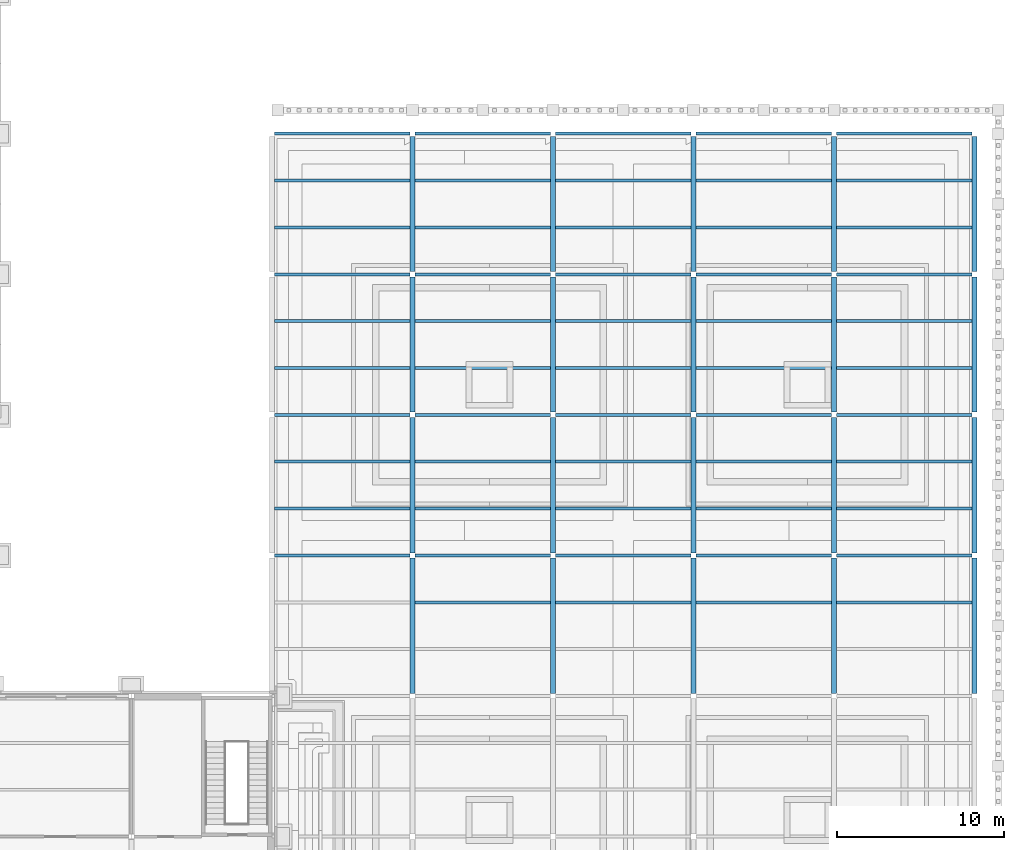
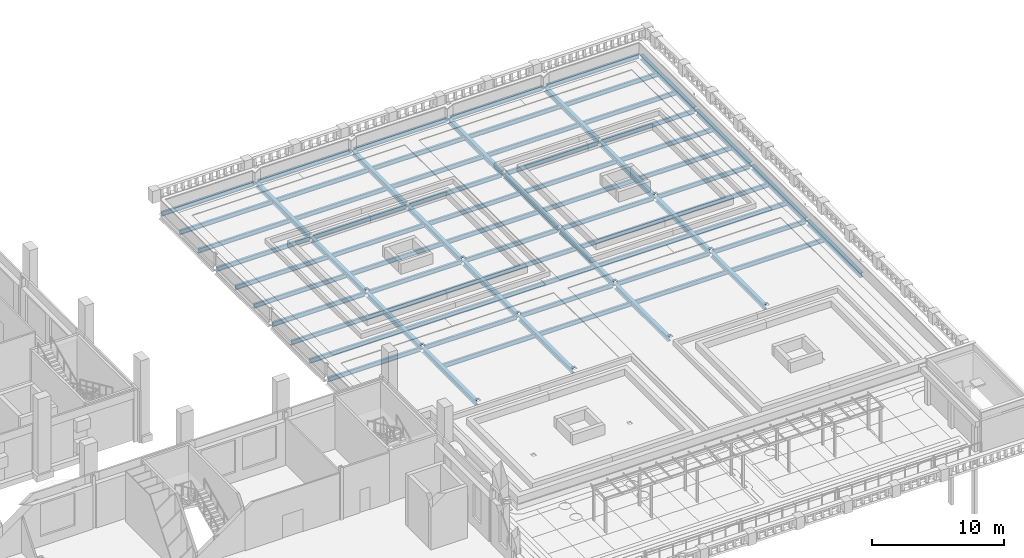
# One storey, part 40 of 76: 74 beams.
"""IFC4 building model written with IfcOpenShell, lengths in metres."""

from ifc_helpers import new_model, si_unit, direction, frame, origin, origin_2d, place, context, subcontext, project, spatial, i_section, extrude, material, material_profile, profile_set, type_object, element, save


model = new_model("IFC4")

# Units and contexts
model_context = context("Model", 3, precision=1e-05, world=origin(), true_north=direction((0.0, 1.0)))
body_context = subcontext(model_context, "Body", "Model", "MODEL_VIEW")
ifc_project = project(units=[si_unit("LENGTHUNIT", "METRE"), si_unit("AREAUNIT", "SQUARE_METRE"), si_unit("VOLUMEUNIT", "CUBIC_METRE"), si_unit("PLANEANGLEUNIT", "RADIAN"), si_unit("MASSUNIT", "GRAM", prefix="KILO")], contexts=[model_context])

# Site, building, storey
site_placement = place(None, origin())
site = spatial("IfcSite", under=ifc_project, at=site_placement, CompositionType="ELEMENT")
building_placement = place(site_placement, origin())
building = spatial("IfcBuilding", under=site, at=building_placement, Name="Sava Quay Ferry Terminal", CompositionType="ELEMENT")
storey_placement = place(building_placement, frame((0.0, 0.0, 6.0)))
storey = spatial("IfcBuildingStorey", under=building, at=storey_placement, Name="L01", CompositionType="ELEMENT", Elevation=6.0)

# Beams
ifc_material_1 = material(Name="Steel S355", Category="steel")
ifc_material_profile_1 = material_profile(ifc_material_1, i_section(OverallWidth=0.179931640625, OverallDepth=0.39990234375, WebThickness=0.008544921875, FlangeThickness=0.013427734375, at=origin_2d()), Name="IPE 400")
ifc_profile_set_1 = profile_set([ifc_material_profile_1], Name="Steel S355")
beam_type_1 = type_object("IfcBeamType", Name="Beam IPE 400", PredefinedType="BEAM", material=ifc_profile_set_1)
beam_1_placement = place(storey_placement, frame((126.14990234375, 58.800048828125, -0.35009765625), z_axis=(1.0, 0.0, 0.0), x_axis=(0.0, 1.0, 0.0)))
element("IfcBeam", 1, at=beam_1_placement, inside=storey, type_object=beam_type_1, Name="Beam L01", PredefinedType="BEAM", context=body_context, shape_type="SweptSolid", body=[
    extrude(i_section(OverallWidth=0.179931640625, OverallDepth=0.39990234375, WebThickness=0.008544921875, FlangeThickness=0.013427734375, at=origin_2d()), origin(), (0.0, 0.0, 1.0), 8.10009765625),
])
beam_2_placement = place(storey_placement, frame((134.550048828125, 58.800048828125, -0.35009765625), z_axis=(1.0, 0.0, 0.0), x_axis=(0.0, 1.0, 0.0)))
element("IfcBeam", 2, at=beam_2_placement, inside=storey, type_object=beam_type_1, Name="Beam L01", PredefinedType="BEAM", context=body_context, shape_type="SweptSolid", body=[
    extrude(i_section(OverallWidth=0.179931640625, OverallDepth=0.39990234375, WebThickness=0.008544921875, FlangeThickness=0.013427734375, at=origin_2d()), origin(), (0.0, 0.0, 1.0), 8.099853515625),
])
beam_3_placement = place(storey_placement, frame((142.949951171875, 58.800048828125, -0.35009765625), z_axis=(1.0, 0.0, 0.0), x_axis=(0.0, 1.0, 0.0)))
element("IfcBeam", 3, at=beam_3_placement, inside=storey, type_object=beam_type_1, Name="Beam L01", PredefinedType="BEAM", context=body_context, shape_type="SweptSolid", body=[
    extrude(i_section(OverallWidth=0.179931640625, OverallDepth=0.39990234375, WebThickness=0.008544921875, FlangeThickness=0.013427734375, at=origin_2d()), origin(), (0.0, 0.0, 1.0), 8.10009765625),
])
beam_4_placement = place(storey_placement, frame((151.35009765625, 58.800048828125, -0.35009765625), z_axis=(1.0, 0.0, 0.0), x_axis=(0.0, 1.0, 0.0)))
element("IfcBeam", 4, at=beam_4_placement, inside=storey, type_object=beam_type_1, Name="Beam L01", PredefinedType="BEAM", context=body_context, shape_type="SweptSolid", body=[
    extrude(i_section(OverallWidth=0.179931640625, OverallDepth=0.39990234375, WebThickness=0.008544921875, FlangeThickness=0.013427734375, at=origin_2d()), origin(), (0.0, 0.0, 1.0), 8.099853515625),
])
for number, where, z_axis, x_axis, name in (
    (5, (159.75, 58.800048828125, -0.35009765625), (1.0, 0.0, 0.0), (0.0, 1.0, 0.0), "Beam L01"),
    (6, (126.14990234375, 67.199951171875, -0.35009765625), (1.0, 0.0, 0.0), (0.0, 1.0, 0.0), "Beam L01"),
):
    element("IfcBeam", number, at=place(storey_placement, frame(where, z_axis=z_axis, x_axis=x_axis)), inside=storey, type_object=beam_type_1, Name=name, PredefinedType="BEAM", context=body_context, shape_type="SweptSolid", body=[
        extrude(i_section(OverallWidth=0.179931640625, OverallDepth=0.39990234375, WebThickness=0.008544921875, FlangeThickness=0.013427734375, at=origin_2d()), origin(), (0.0, 0.0, 1.0), 8.10009765625),
    ])
beam_5_placement = place(storey_placement, frame((134.550048828125, 67.199951171875, -0.35009765625), z_axis=(1.0, 0.0, 0.0), x_axis=(0.0, 1.0, 0.0)))
element("IfcBeam", 7, at=beam_5_placement, inside=storey, type_object=beam_type_1, Name="Beam L01", PredefinedType="BEAM", context=body_context, shape_type="SweptSolid", body=[
    extrude(i_section(OverallWidth=0.179931640625, OverallDepth=0.39990234375, WebThickness=0.008544921875, FlangeThickness=0.013427734375, at=origin_2d()), origin(), (0.0, 0.0, 1.0), 8.099853515625),
])
beam_6_placement = place(storey_placement, frame((142.949951171875, 67.199951171875, -0.35009765625), z_axis=(1.0, 0.0, 0.0), x_axis=(0.0, 1.0, 0.0)))
element("IfcBeam", 8, at=beam_6_placement, inside=storey, type_object=beam_type_1, Name="Beam L01", PredefinedType="BEAM", context=body_context, shape_type="SweptSolid", body=[
    extrude(i_section(OverallWidth=0.179931640625, OverallDepth=0.39990234375, WebThickness=0.008544921875, FlangeThickness=0.013427734375, at=origin_2d()), origin(), (0.0, 0.0, 1.0), 8.10009765625),
])
beam_7_placement = place(storey_placement, frame((151.35009765625, 67.199951171875, -0.35009765625), z_axis=(1.0, 0.0, 0.0), x_axis=(0.0, 1.0, 0.0)))
element("IfcBeam", 9, at=beam_7_placement, inside=storey, type_object=beam_type_1, Name="Beam L01", PredefinedType="BEAM", context=body_context, shape_type="SweptSolid", body=[
    extrude(i_section(OverallWidth=0.179931640625, OverallDepth=0.39990234375, WebThickness=0.008544921875, FlangeThickness=0.013427734375, at=origin_2d()), origin(), (0.0, 0.0, 1.0), 8.099853515625),
])
for number, where, z_axis, x_axis, name in (
    (10, (159.75, 67.199951171875, -0.35009765625), (1.0, 0.0, 0.0), (0.0, 1.0, 0.0), "Beam L01"),
    (11, (126.14990234375, 75.60009765625, -0.35009765625), (1.0, 0.0, 0.0), (0.0, 1.0, 0.0), "Beam L01"),
):
    element("IfcBeam", number, at=place(storey_placement, frame(where, z_axis=z_axis, x_axis=x_axis)), inside=storey, type_object=beam_type_1, Name=name, PredefinedType="BEAM", context=body_context, shape_type="SweptSolid", body=[
        extrude(i_section(OverallWidth=0.179931640625, OverallDepth=0.39990234375, WebThickness=0.008544921875, FlangeThickness=0.013427734375, at=origin_2d()), origin(), (0.0, 0.0, 1.0), 8.10009765625),
    ])
beam_8_placement = place(storey_placement, frame((134.550048828125, 75.60009765625, -0.35009765625), z_axis=(1.0, 0.0, 0.0), x_axis=(0.0, 1.0, 0.0)))
element("IfcBeam", 12, at=beam_8_placement, inside=storey, type_object=beam_type_1, Name="Beam L01", PredefinedType="BEAM", context=body_context, shape_type="SweptSolid", body=[
    extrude(i_section(OverallWidth=0.179931640625, OverallDepth=0.39990234375, WebThickness=0.008544921875, FlangeThickness=0.013427734375, at=origin_2d()), origin(), (0.0, 0.0, 1.0), 8.099853515625),
])
beam_9_placement = place(storey_placement, frame((142.949951171875, 75.60009765625, -0.35009765625), z_axis=(1.0, 0.0, 0.0), x_axis=(0.0, 1.0, 0.0)))
element("IfcBeam", 13, at=beam_9_placement, inside=storey, type_object=beam_type_1, Name="Beam L01", PredefinedType="BEAM", context=body_context, shape_type="SweptSolid", body=[
    extrude(i_section(OverallWidth=0.179931640625, OverallDepth=0.39990234375, WebThickness=0.008544921875, FlangeThickness=0.013427734375, at=origin_2d()), origin(), (0.0, 0.0, 1.0), 8.10009765625),
])
beam_10_placement = place(storey_placement, frame((151.35009765625, 75.60009765625, -0.35009765625), z_axis=(1.0, 0.0, 0.0), x_axis=(0.0, 1.0, 0.0)))
element("IfcBeam", 14, at=beam_10_placement, inside=storey, type_object=beam_type_1, Name="Beam L01", PredefinedType="BEAM", context=body_context, shape_type="SweptSolid", body=[
    extrude(i_section(OverallWidth=0.179931640625, OverallDepth=0.39990234375, WebThickness=0.008544921875, FlangeThickness=0.013427734375, at=origin_2d()), origin(), (0.0, 0.0, 1.0), 8.099853515625),
])
for number, where, z_axis, x_axis, name in (
    (15, (159.75, 75.60009765625, -0.35009765625), (1.0, 0.0, 0.0), (0.0, 1.0, 0.0), "Beam L01"),
    (16, (126.14990234375, 84.0, -0.35009765625), (1.0, 0.0, 0.0), (0.0, 1.0, 0.0), "Beam L01"),
):
    element("IfcBeam", number, at=place(storey_placement, frame(where, z_axis=z_axis, x_axis=x_axis)), inside=storey, type_object=beam_type_1, Name=name, PredefinedType="BEAM", context=body_context, shape_type="SweptSolid", body=[
        extrude(i_section(OverallWidth=0.179931640625, OverallDepth=0.39990234375, WebThickness=0.008544921875, FlangeThickness=0.013427734375, at=origin_2d()), origin(), (0.0, 0.0, 1.0), 8.10009765625),
    ])
beam_11_placement = place(storey_placement, frame((134.550048828125, 84.0, -0.35009765625), z_axis=(1.0, 0.0, 0.0), x_axis=(0.0, 1.0, 0.0)))
element("IfcBeam", 17, at=beam_11_placement, inside=storey, type_object=beam_type_1, Name="Beam L01", PredefinedType="BEAM", context=body_context, shape_type="SweptSolid", body=[
    extrude(i_section(OverallWidth=0.179931640625, OverallDepth=0.39990234375, WebThickness=0.008544921875, FlangeThickness=0.013427734375, at=origin_2d()), origin(), (0.0, 0.0, 1.0), 8.099853515625),
])
beam_12_placement = place(storey_placement, frame((142.949951171875, 84.0, -0.35009765625), z_axis=(1.0, 0.0, 0.0), x_axis=(0.0, 1.0, 0.0)))
element("IfcBeam", 18, at=beam_12_placement, inside=storey, type_object=beam_type_1, Name="Beam L01", PredefinedType="BEAM", context=body_context, shape_type="SweptSolid", body=[
    extrude(i_section(OverallWidth=0.179931640625, OverallDepth=0.39990234375, WebThickness=0.008544921875, FlangeThickness=0.013427734375, at=origin_2d()), origin(), (0.0, 0.0, 1.0), 8.10009765625),
])
beam_13_placement = place(storey_placement, frame((151.35009765625, 84.0, -0.35009765625), z_axis=(1.0, 0.0, 0.0), x_axis=(0.0, 1.0, 0.0)))
element("IfcBeam", 19, at=beam_13_placement, inside=storey, type_object=beam_type_1, Name="Beam L01", PredefinedType="BEAM", context=body_context, shape_type="SweptSolid", body=[
    extrude(i_section(OverallWidth=0.179931640625, OverallDepth=0.39990234375, WebThickness=0.008544921875, FlangeThickness=0.013427734375, at=origin_2d()), origin(), (0.0, 0.0, 1.0), 8.099853515625),
])
beam_14_placement = place(storey_placement, frame((159.75, 84.0, -0.35009765625), z_axis=(1.0, 0.0, 0.0), x_axis=(0.0, 1.0, 0.0)))
element("IfcBeam", 20, at=beam_14_placement, inside=storey, type_object=beam_type_1, Name="Beam L01", PredefinedType="BEAM", context=body_context, shape_type="SweptSolid", body=[
    extrude(i_section(OverallWidth=0.179931640625, OverallDepth=0.39990234375, WebThickness=0.008544921875, FlangeThickness=0.013427734375, at=origin_2d()), origin(), (0.0, 0.0, 1.0), 8.10009765625),
])
beam_15_placement = place(storey_placement, frame((134.550048828125, 56.0, -0.35009765625), z_axis=(1.0, 0.0, 0.0), x_axis=(0.0, 1.0, 0.0)))
element("IfcBeam", 21, at=beam_15_placement, inside=storey, type_object=beam_type_1, Name="Secondary beam L01", PredefinedType="BEAM", context=body_context, shape_type="SweptSolid", body=[
    extrude(i_section(OverallWidth=0.179931640625, OverallDepth=0.39990234375, WebThickness=0.008544921875, FlangeThickness=0.013427734375, at=origin_2d()), origin(), (0.0, 0.0, 1.0), 8.099853515625),
])
beam_16_placement = place(storey_placement, frame((142.949951171875, 56.0, -0.35009765625), z_axis=(1.0, 0.0, 0.0), x_axis=(0.0, 1.0, 0.0)))
element("IfcBeam", 22, at=beam_16_placement, inside=storey, type_object=beam_type_1, Name="Secondary beam L01", PredefinedType="BEAM", context=body_context, shape_type="SweptSolid", body=[
    extrude(i_section(OverallWidth=0.179931640625, OverallDepth=0.39990234375, WebThickness=0.008544921875, FlangeThickness=0.013427734375, at=origin_2d()), origin(), (0.0, 0.0, 1.0), 8.10009765625),
])
beam_17_placement = place(storey_placement, frame((151.35009765625, 56.0, -0.35009765625), z_axis=(1.0, 0.0, 0.0), x_axis=(0.0, 1.0, 0.0)))
element("IfcBeam", 23, at=beam_17_placement, inside=storey, type_object=beam_type_1, Name="Secondary beam L01", PredefinedType="BEAM", context=body_context, shape_type="SweptSolid", body=[
    extrude(i_section(OverallWidth=0.179931640625, OverallDepth=0.39990234375, WebThickness=0.008544921875, FlangeThickness=0.013427734375, at=origin_2d()), origin(), (0.0, 0.0, 1.0), 8.099853515625),
])
for number, where, z_axis, x_axis, name in (
    (24, (159.75, 56.0, -0.35009765625), (1.0, 0.0, 0.0), (0.0, 1.0, 0.0), "Secondary beam L01"),
    (25, (126.14990234375, 61.60009765625, -0.35009765625), (1.0, 0.0, 0.0), (0.0, 1.0, 0.0), "Secondary beam L01"),
    (26, (126.14990234375, 64.39990234375, -0.35009765625), (1.0, 0.0, 0.0), (0.0, 1.0, 0.0), "Secondary beam L01"),
):
    element("IfcBeam", number, at=place(storey_placement, frame(where, z_axis=z_axis, x_axis=x_axis)), inside=storey, type_object=beam_type_1, Name=name, PredefinedType="BEAM", context=body_context, shape_type="SweptSolid", body=[
        extrude(i_section(OverallWidth=0.179931640625, OverallDepth=0.39990234375, WebThickness=0.008544921875, FlangeThickness=0.013427734375, at=origin_2d()), origin(), (0.0, 0.0, 1.0), 8.10009765625),
    ])
for number, where, z_axis, x_axis, name in (
    (27, (134.550048828125, 61.60009765625, -0.35009765625), (1.0, 0.0, 0.0), (0.0, 1.0, 0.0), "Secondary beam L01"),
    (28, (134.550048828125, 64.39990234375, -0.35009765625), (1.0, 0.0, 0.0), (0.0, 1.0, 0.0), "Secondary beam L01"),
):
    element("IfcBeam", number, at=place(storey_placement, frame(where, z_axis=z_axis, x_axis=x_axis)), inside=storey, type_object=beam_type_1, Name=name, PredefinedType="BEAM", context=body_context, shape_type="SweptSolid", body=[
        extrude(i_section(OverallWidth=0.179931640625, OverallDepth=0.39990234375, WebThickness=0.008544921875, FlangeThickness=0.013427734375, at=origin_2d()), origin(), (0.0, 0.0, 1.0), 8.099853515625),
    ])
for number, where, z_axis, x_axis, name in (
    (29, (142.949951171875, 61.60009765625, -0.35009765625), (1.0, 0.0, 0.0), (0.0, 1.0, 0.0), "Secondary beam L01"),
    (30, (142.949951171875, 64.39990234375, -0.35009765625), (1.0, 0.0, 0.0), (0.0, 1.0, 0.0), "Secondary beam L01"),
):
    element("IfcBeam", number, at=place(storey_placement, frame(where, z_axis=z_axis, x_axis=x_axis)), inside=storey, type_object=beam_type_1, Name=name, PredefinedType="BEAM", context=body_context, shape_type="SweptSolid", body=[
        extrude(i_section(OverallWidth=0.179931640625, OverallDepth=0.39990234375, WebThickness=0.008544921875, FlangeThickness=0.013427734375, at=origin_2d()), origin(), (0.0, 0.0, 1.0), 8.10009765625),
    ])
for number, where, z_axis, x_axis, name in (
    (31, (151.35009765625, 61.60009765625, -0.35009765625), (1.0, 0.0, 0.0), (0.0, 1.0, 0.0), "Secondary beam L01"),
    (32, (151.35009765625, 64.39990234375, -0.35009765625), (1.0, 0.0, 0.0), (0.0, 1.0, 0.0), "Secondary beam L01"),
):
    element("IfcBeam", number, at=place(storey_placement, frame(where, z_axis=z_axis, x_axis=x_axis)), inside=storey, type_object=beam_type_1, Name=name, PredefinedType="BEAM", context=body_context, shape_type="SweptSolid", body=[
        extrude(i_section(OverallWidth=0.179931640625, OverallDepth=0.39990234375, WebThickness=0.008544921875, FlangeThickness=0.013427734375, at=origin_2d()), origin(), (0.0, 0.0, 1.0), 8.099853515625),
    ])
for number, where, z_axis, x_axis, name in (
    (33, (159.75, 61.60009765625, -0.35009765625), (1.0, 0.0, 0.0), (0.0, 1.0, 0.0), "Secondary beam L01"),
    (34, (159.75, 64.39990234375, -0.35009765625), (1.0, 0.0, 0.0), (0.0, 1.0, 0.0), "Secondary beam L01"),
    (35, (126.14990234375, 70.0, -0.35009765625), (1.0, 0.0, 0.0), (0.0, 1.0, 0.0), "Secondary beam L01"),
    (36, (126.14990234375, 72.800048828125, -0.35009765625), (1.0, 0.0, 0.0), (0.0, 1.0, 0.0), "Secondary beam L01"),
):
    element("IfcBeam", number, at=place(storey_placement, frame(where, z_axis=z_axis, x_axis=x_axis)), inside=storey, type_object=beam_type_1, Name=name, PredefinedType="BEAM", context=body_context, shape_type="SweptSolid", body=[
        extrude(i_section(OverallWidth=0.179931640625, OverallDepth=0.39990234375, WebThickness=0.008544921875, FlangeThickness=0.013427734375, at=origin_2d()), origin(), (0.0, 0.0, 1.0), 8.10009765625),
    ])
for number, where, z_axis, x_axis, name in (
    (37, (134.550048828125, 70.0, -0.35009765625), (1.0, 0.0, 0.0), (0.0, 1.0, 0.0), "Secondary beam L01"),
    (38, (134.550048828125, 72.800048828125, -0.35009765625), (1.0, 0.0, 0.0), (0.0, 1.0, 0.0), "Secondary beam L01"),
):
    element("IfcBeam", number, at=place(storey_placement, frame(where, z_axis=z_axis, x_axis=x_axis)), inside=storey, type_object=beam_type_1, Name=name, PredefinedType="BEAM", context=body_context, shape_type="SweptSolid", body=[
        extrude(i_section(OverallWidth=0.179931640625, OverallDepth=0.39990234375, WebThickness=0.008544921875, FlangeThickness=0.013427734375, at=origin_2d()), origin(), (0.0, 0.0, 1.0), 8.099853515625),
    ])
for number, where, z_axis, x_axis, name in (
    (39, (142.949951171875, 70.0, -0.35009765625), (1.0, 0.0, 0.0), (0.0, 1.0, 0.0), "Secondary beam L01"),
    (40, (142.949951171875, 72.800048828125, -0.35009765625), (1.0, 0.0, 0.0), (0.0, 1.0, 0.0), "Secondary beam L01"),
):
    element("IfcBeam", number, at=place(storey_placement, frame(where, z_axis=z_axis, x_axis=x_axis)), inside=storey, type_object=beam_type_1, Name=name, PredefinedType="BEAM", context=body_context, shape_type="SweptSolid", body=[
        extrude(i_section(OverallWidth=0.179931640625, OverallDepth=0.39990234375, WebThickness=0.008544921875, FlangeThickness=0.013427734375, at=origin_2d()), origin(), (0.0, 0.0, 1.0), 8.10009765625),
    ])
for number, where, z_axis, x_axis, name in (
    (41, (151.35009765625, 70.0, -0.35009765625), (1.0, 0.0, 0.0), (0.0, 1.0, 0.0), "Secondary beam L01"),
    (42, (151.35009765625, 72.800048828125, -0.35009765625), (1.0, 0.0, 0.0), (0.0, 1.0, 0.0), "Secondary beam L01"),
):
    element("IfcBeam", number, at=place(storey_placement, frame(where, z_axis=z_axis, x_axis=x_axis)), inside=storey, type_object=beam_type_1, Name=name, PredefinedType="BEAM", context=body_context, shape_type="SweptSolid", body=[
        extrude(i_section(OverallWidth=0.179931640625, OverallDepth=0.39990234375, WebThickness=0.008544921875, FlangeThickness=0.013427734375, at=origin_2d()), origin(), (0.0, 0.0, 1.0), 8.099853515625),
    ])
for number, where, z_axis, x_axis, name in (
    (43, (159.75, 70.0, -0.35009765625), (1.0, 0.0, 0.0), (0.0, 1.0, 0.0), "Secondary beam L01"),
    (44, (159.75, 72.800048828125, -0.35009765625), (1.0, 0.0, 0.0), (0.0, 1.0, 0.0), "Secondary beam L01"),
    (45, (126.14990234375, 78.39990234375, -0.35009765625), (1.0, 0.0, 0.0), (0.0, 1.0, 0.0), "Secondary beam L01"),
    (46, (126.14990234375, 81.199951171875, -0.35009765625), (1.0, 0.0, 0.0), (0.0, 1.0, 0.0), "Secondary beam L01"),
):
    element("IfcBeam", number, at=place(storey_placement, frame(where, z_axis=z_axis, x_axis=x_axis)), inside=storey, type_object=beam_type_1, Name=name, PredefinedType="BEAM", context=body_context, shape_type="SweptSolid", body=[
        extrude(i_section(OverallWidth=0.179931640625, OverallDepth=0.39990234375, WebThickness=0.008544921875, FlangeThickness=0.013427734375, at=origin_2d()), origin(), (0.0, 0.0, 1.0), 8.10009765625),
    ])
for number, where, z_axis, x_axis, name in (
    (47, (134.550048828125, 78.39990234375, -0.35009765625), (1.0, 0.0, 0.0), (0.0, 1.0, 0.0), "Secondary beam L01"),
    (48, (134.550048828125, 81.199951171875, -0.35009765625), (1.0, 0.0, 0.0), (0.0, 1.0, 0.0), "Secondary beam L01"),
):
    element("IfcBeam", number, at=place(storey_placement, frame(where, z_axis=z_axis, x_axis=x_axis)), inside=storey, type_object=beam_type_1, Name=name, PredefinedType="BEAM", context=body_context, shape_type="SweptSolid", body=[
        extrude(i_section(OverallWidth=0.179931640625, OverallDepth=0.39990234375, WebThickness=0.008544921875, FlangeThickness=0.013427734375, at=origin_2d()), origin(), (0.0, 0.0, 1.0), 8.099853515625),
    ])
for number, where, z_axis, x_axis, name in (
    (49, (142.949951171875, 78.39990234375, -0.35009765625), (1.0, 0.0, 0.0), (0.0, 1.0, 0.0), "Secondary beam L01"),
    (50, (142.949951171875, 81.199951171875, -0.35009765625), (1.0, 0.0, 0.0), (0.0, 1.0, 0.0), "Secondary beam L01"),
):
    element("IfcBeam", number, at=place(storey_placement, frame(where, z_axis=z_axis, x_axis=x_axis)), inside=storey, type_object=beam_type_1, Name=name, PredefinedType="BEAM", context=body_context, shape_type="SweptSolid", body=[
        extrude(i_section(OverallWidth=0.179931640625, OverallDepth=0.39990234375, WebThickness=0.008544921875, FlangeThickness=0.013427734375, at=origin_2d()), origin(), (0.0, 0.0, 1.0), 8.10009765625),
    ])
for number, where, z_axis, x_axis, name in (
    (51, (151.35009765625, 78.39990234375, -0.35009765625), (1.0, 0.0, 0.0), (0.0, 1.0, 0.0), "Secondary beam L01"),
    (52, (151.35009765625, 81.199951171875, -0.35009765625), (1.0, 0.0, 0.0), (0.0, 1.0, 0.0), "Secondary beam L01"),
):
    element("IfcBeam", number, at=place(storey_placement, frame(where, z_axis=z_axis, x_axis=x_axis)), inside=storey, type_object=beam_type_1, Name=name, PredefinedType="BEAM", context=body_context, shape_type="SweptSolid", body=[
        extrude(i_section(OverallWidth=0.179931640625, OverallDepth=0.39990234375, WebThickness=0.008544921875, FlangeThickness=0.013427734375, at=origin_2d()), origin(), (0.0, 0.0, 1.0), 8.099853515625),
    ])
for number, where, z_axis, x_axis, name in (
    (53, (159.75, 78.39990234375, -0.35009765625), (1.0, 0.0, 0.0), (0.0, 1.0, 0.0), "Secondary beam L01"),
    (54, (159.75, 81.199951171875, -0.35009765625), (1.0, 0.0, 0.0), (0.0, 1.0, 0.0), "Secondary beam L01"),
):
    element("IfcBeam", number, at=place(storey_placement, frame(where, z_axis=z_axis, x_axis=x_axis)), inside=storey, type_object=beam_type_1, Name=name, PredefinedType="BEAM", context=body_context, shape_type="SweptSolid", body=[
        extrude(i_section(OverallWidth=0.179931640625, OverallDepth=0.39990234375, WebThickness=0.008544921875, FlangeThickness=0.013427734375, at=origin_2d()), origin(), (0.0, 0.0, 1.0), 8.10009765625),
    ])
ifc_material_2 = material(Name="Steel S355", Category="steel")
ifc_material_profile_2 = material_profile(ifc_material_2, i_section(OverallWidth=0.300048828125, OverallDepth=0.449951171875, WebThickness=0.013916015625, FlangeThickness=0.02587890625, at=origin_2d()), Name="HE 450 B")
ifc_profile_set_2 = profile_set([ifc_material_profile_2], Name="Steel S355")
beam_type_2 = type_object("IfcBeamType", Name="Girder HE 450 B", PredefinedType="BEAM", material=ifc_profile_set_2)
beam_18_placement = place(storey_placement, frame((134.39990234375, 50.56005859375, -0.375), z_axis=(0.0, 1.0, 0.0), x_axis=(-1.0, 0.0, 0.0)))
element("IfcBeam", 55, at=beam_18_placement, inside=storey, type_object=beam_type_2, Name="Girder L01", PredefinedType="BEAM", context=body_context, shape_type="SweptSolid", body=[
    extrude(i_section(OverallWidth=0.300048828125, OverallDepth=0.449951171875, WebThickness=0.013916015625, FlangeThickness=0.02587890625, at=origin_2d()), origin(), (0.0, 0.0, 1.0), 8.079833984375),
])
beam_19_placement = place(storey_placement, frame((134.39990234375, 58.9599609375, -0.375), z_axis=(0.0, 1.0, 0.0), x_axis=(-1.0, 0.0, 0.0)))
element("IfcBeam", 56, at=beam_19_placement, inside=storey, type_object=beam_type_2, Name="Girder L01", PredefinedType="BEAM", context=body_context, shape_type="SweptSolid", body=[
    extrude(i_section(OverallWidth=0.300048828125, OverallDepth=0.449951171875, WebThickness=0.013916015625, FlangeThickness=0.02587890625, at=origin_2d()), origin(), (0.0, 0.0, 1.0), 8.080078125),
])
beam_20_placement = place(storey_placement, frame((134.39990234375, 67.360107421875, -0.375), z_axis=(0.0, 1.0, 0.0), x_axis=(-1.0, 0.0, 0.0)))
element("IfcBeam", 57, at=beam_20_placement, inside=storey, type_object=beam_type_2, Name="Girder L01", PredefinedType="BEAM", context=body_context, shape_type="SweptSolid", body=[
    extrude(i_section(OverallWidth=0.300048828125, OverallDepth=0.449951171875, WebThickness=0.013916015625, FlangeThickness=0.02587890625, at=origin_2d()), origin(), (0.0, 0.0, 1.0), 8.079833984375),
])
beam_21_placement = place(storey_placement, frame((134.39990234375, 75.760009765625, -0.375), z_axis=(0.0, 1.0, 0.0), x_axis=(-1.0, 0.0, 0.0)))
element("IfcBeam", 58, at=beam_21_placement, inside=storey, type_object=beam_type_2, Name="Girder L01", PredefinedType="BEAM", context=body_context, shape_type="SweptSolid", body=[
    extrude(i_section(OverallWidth=0.300048828125, OverallDepth=0.449951171875, WebThickness=0.013916015625, FlangeThickness=0.02587890625, at=origin_2d()), origin(), (0.0, 0.0, 1.0), 8.080078125),
])
beam_22_placement = place(storey_placement, frame((142.800048828125, 50.56005859375, -0.375), z_axis=(0.0, 1.0, 0.0), x_axis=(-1.0, 0.0, 0.0)))
element("IfcBeam", 59, at=beam_22_placement, inside=storey, type_object=beam_type_2, Name="Girder L01", PredefinedType="BEAM", context=body_context, shape_type="SweptSolid", body=[
    extrude(i_section(OverallWidth=0.300048828125, OverallDepth=0.449951171875, WebThickness=0.013916015625, FlangeThickness=0.02587890625, at=origin_2d()), origin(), (0.0, 0.0, 1.0), 8.079833984375),
])
beam_23_placement = place(storey_placement, frame((142.800048828125, 58.9599609375, -0.375), z_axis=(0.0, 1.0, 0.0), x_axis=(-1.0, 0.0, 0.0)))
element("IfcBeam", 60, at=beam_23_placement, inside=storey, type_object=beam_type_2, Name="Girder L01", PredefinedType="BEAM", context=body_context, shape_type="SweptSolid", body=[
    extrude(i_section(OverallWidth=0.300048828125, OverallDepth=0.449951171875, WebThickness=0.013916015625, FlangeThickness=0.02587890625, at=origin_2d()), origin(), (0.0, 0.0, 1.0), 8.080078125),
])
beam_24_placement = place(storey_placement, frame((142.800048828125, 67.360107421875, -0.375), z_axis=(0.0, 1.0, 0.0), x_axis=(-1.0, 0.0, 0.0)))
element("IfcBeam", 61, at=beam_24_placement, inside=storey, type_object=beam_type_2, Name="Girder L01", PredefinedType="BEAM", context=body_context, shape_type="SweptSolid", body=[
    extrude(i_section(OverallWidth=0.300048828125, OverallDepth=0.449951171875, WebThickness=0.013916015625, FlangeThickness=0.02587890625, at=origin_2d()), origin(), (0.0, 0.0, 1.0), 8.079833984375),
])
beam_25_placement = place(storey_placement, frame((142.800048828125, 75.760009765625, -0.375), z_axis=(0.0, 1.0, 0.0), x_axis=(-1.0, 0.0, 0.0)))
element("IfcBeam", 62, at=beam_25_placement, inside=storey, type_object=beam_type_2, Name="Girder L01", PredefinedType="BEAM", context=body_context, shape_type="SweptSolid", body=[
    extrude(i_section(OverallWidth=0.300048828125, OverallDepth=0.449951171875, WebThickness=0.013916015625, FlangeThickness=0.02587890625, at=origin_2d()), origin(), (0.0, 0.0, 1.0), 8.080078125),
])
beam_26_placement = place(storey_placement, frame((151.199951171875, 50.56005859375, -0.375), z_axis=(0.0, 1.0, 0.0), x_axis=(-1.0, 0.0, 0.0)))
element("IfcBeam", 63, at=beam_26_placement, inside=storey, type_object=beam_type_2, Name="Girder L01", PredefinedType="BEAM", context=body_context, shape_type="SweptSolid", body=[
    extrude(i_section(OverallWidth=0.300048828125, OverallDepth=0.449951171875, WebThickness=0.013916015625, FlangeThickness=0.02587890625, at=origin_2d()), origin(), (0.0, 0.0, 1.0), 8.079833984375),
])
beam_27_placement = place(storey_placement, frame((151.199951171875, 58.9599609375, -0.375), z_axis=(0.0, 1.0, 0.0), x_axis=(-1.0, 0.0, 0.0)))
element("IfcBeam", 64, at=beam_27_placement, inside=storey, type_object=beam_type_2, Name="Girder L01", PredefinedType="BEAM", context=body_context, shape_type="SweptSolid", body=[
    extrude(i_section(OverallWidth=0.300048828125, OverallDepth=0.449951171875, WebThickness=0.013916015625, FlangeThickness=0.02587890625, at=origin_2d()), origin(), (0.0, 0.0, 1.0), 8.080078125),
])
beam_28_placement = place(storey_placement, frame((151.199951171875, 67.360107421875, -0.375), z_axis=(0.0, 1.0, 0.0), x_axis=(-1.0, 0.0, 0.0)))
element("IfcBeam", 65, at=beam_28_placement, inside=storey, type_object=beam_type_2, Name="Girder L01", PredefinedType="BEAM", context=body_context, shape_type="SweptSolid", body=[
    extrude(i_section(OverallWidth=0.300048828125, OverallDepth=0.449951171875, WebThickness=0.013916015625, FlangeThickness=0.02587890625, at=origin_2d()), origin(), (0.0, 0.0, 1.0), 8.079833984375),
])
beam_29_placement = place(storey_placement, frame((151.199951171875, 75.760009765625, -0.375), z_axis=(0.0, 1.0, 0.0), x_axis=(-1.0, 0.0, 0.0)))
element("IfcBeam", 66, at=beam_29_placement, inside=storey, type_object=beam_type_2, Name="Girder L01", PredefinedType="BEAM", context=body_context, shape_type="SweptSolid", body=[
    extrude(i_section(OverallWidth=0.300048828125, OverallDepth=0.449951171875, WebThickness=0.013916015625, FlangeThickness=0.02587890625, at=origin_2d()), origin(), (0.0, 0.0, 1.0), 8.080078125),
])
beam_30_placement = place(storey_placement, frame((159.60009765625, 50.56005859375, -0.375), z_axis=(0.0, 1.0, 0.0), x_axis=(-1.0, 0.0, 0.0)))
element("IfcBeam", 67, at=beam_30_placement, inside=storey, type_object=beam_type_2, Name="Girder L01", PredefinedType="BEAM", context=body_context, shape_type="SweptSolid", body=[
    extrude(i_section(OverallWidth=0.300048828125, OverallDepth=0.449951171875, WebThickness=0.013916015625, FlangeThickness=0.02587890625, at=origin_2d()), origin(), (0.0, 0.0, 1.0), 8.079833984375),
])
beam_31_placement = place(storey_placement, frame((159.60009765625, 58.9599609375, -0.375), z_axis=(0.0, 1.0, 0.0), x_axis=(-1.0, 0.0, 0.0)))
element("IfcBeam", 68, at=beam_31_placement, inside=storey, type_object=beam_type_2, Name="Girder L01", PredefinedType="BEAM", context=body_context, shape_type="SweptSolid", body=[
    extrude(i_section(OverallWidth=0.300048828125, OverallDepth=0.449951171875, WebThickness=0.013916015625, FlangeThickness=0.02587890625, at=origin_2d()), origin(), (0.0, 0.0, 1.0), 8.080078125),
])
beam_32_placement = place(storey_placement, frame((159.60009765625, 67.360107421875, -0.375), z_axis=(0.0, 1.0, 0.0), x_axis=(-1.0, 0.0, 0.0)))
element("IfcBeam", 69, at=beam_32_placement, inside=storey, type_object=beam_type_2, Name="Girder L01", PredefinedType="BEAM", context=body_context, shape_type="SweptSolid", body=[
    extrude(i_section(OverallWidth=0.300048828125, OverallDepth=0.449951171875, WebThickness=0.013916015625, FlangeThickness=0.02587890625, at=origin_2d()), origin(), (0.0, 0.0, 1.0), 8.079833984375),
])
beam_33_placement = place(storey_placement, frame((159.60009765625, 75.760009765625, -0.375), z_axis=(0.0, 1.0, 0.0), x_axis=(-1.0, 0.0, 0.0)))
element("IfcBeam", 70, at=beam_33_placement, inside=storey, type_object=beam_type_2, Name="Girder L01", PredefinedType="BEAM", context=body_context, shape_type="SweptSolid", body=[
    extrude(i_section(OverallWidth=0.300048828125, OverallDepth=0.449951171875, WebThickness=0.013916015625, FlangeThickness=0.02587890625, at=origin_2d()), origin(), (0.0, 0.0, 1.0), 8.080078125),
])
beam_34_placement = place(storey_placement, frame((168.0, 50.56005859375, -0.375), z_axis=(0.0, 1.0, 0.0), x_axis=(-1.0, 0.0, 0.0)))
element("IfcBeam", 71, at=beam_34_placement, inside=storey, type_object=beam_type_2, Name="Girder L01", PredefinedType="BEAM", context=body_context, shape_type="SweptSolid", body=[
    extrude(i_section(OverallWidth=0.300048828125, OverallDepth=0.449951171875, WebThickness=0.013916015625, FlangeThickness=0.02587890625, at=origin_2d()), origin(), (0.0, 0.0, 1.0), 8.079833984375),
])
beam_35_placement = place(storey_placement, frame((168.0, 58.9599609375, -0.375), z_axis=(0.0, 1.0, 0.0), x_axis=(-1.0, 0.0, 0.0)))
element("IfcBeam", 72, at=beam_35_placement, inside=storey, type_object=beam_type_2, Name="Girder L01", PredefinedType="BEAM", context=body_context, shape_type="SweptSolid", body=[
    extrude(i_section(OverallWidth=0.300048828125, OverallDepth=0.449951171875, WebThickness=0.013916015625, FlangeThickness=0.02587890625, at=origin_2d()), origin(), (0.0, 0.0, 1.0), 8.080078125),
])
beam_36_placement = place(storey_placement, frame((168.0, 67.360107421875, -0.375), z_axis=(0.0, 1.0, 0.0), x_axis=(-1.0, 0.0, 0.0)))
element("IfcBeam", 73, at=beam_36_placement, inside=storey, type_object=beam_type_2, Name="Girder L01", PredefinedType="BEAM", context=body_context, shape_type="SweptSolid", body=[
    extrude(i_section(OverallWidth=0.300048828125, OverallDepth=0.449951171875, WebThickness=0.013916015625, FlangeThickness=0.02587890625, at=origin_2d()), origin(), (0.0, 0.0, 1.0), 8.079833984375),
])
beam_37_placement = place(storey_placement, frame((168.0, 75.760009765625, -0.375), z_axis=(0.0, 1.0, 0.0), x_axis=(-1.0, 0.0, 0.0)))
element("IfcBeam", 74, at=beam_37_placement, inside=storey, type_object=beam_type_2, Name="Girder L01", PredefinedType="BEAM", context=body_context, shape_type="SweptSolid", body=[
    extrude(i_section(OverallWidth=0.300048828125, OverallDepth=0.449951171875, WebThickness=0.013916015625, FlangeThickness=0.02587890625, at=origin_2d()), origin(), (0.0, 0.0, 1.0), 8.080078125),
])

save(model, "model.ifc")
